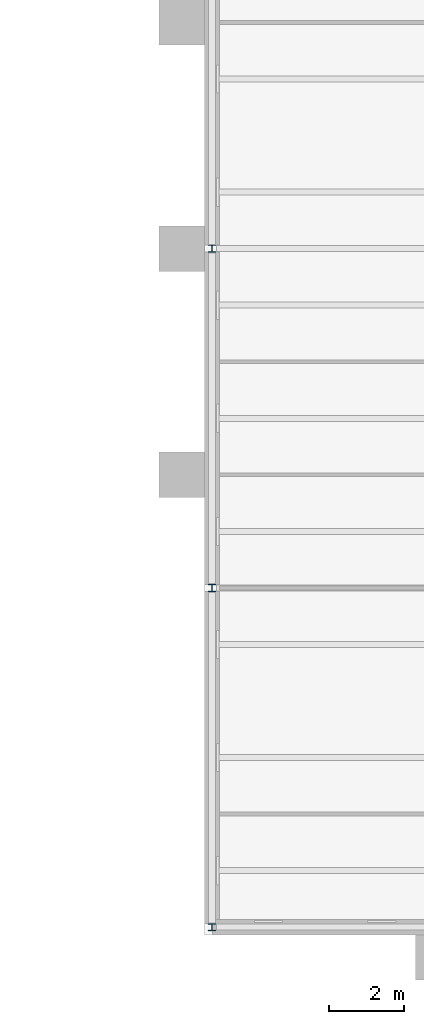
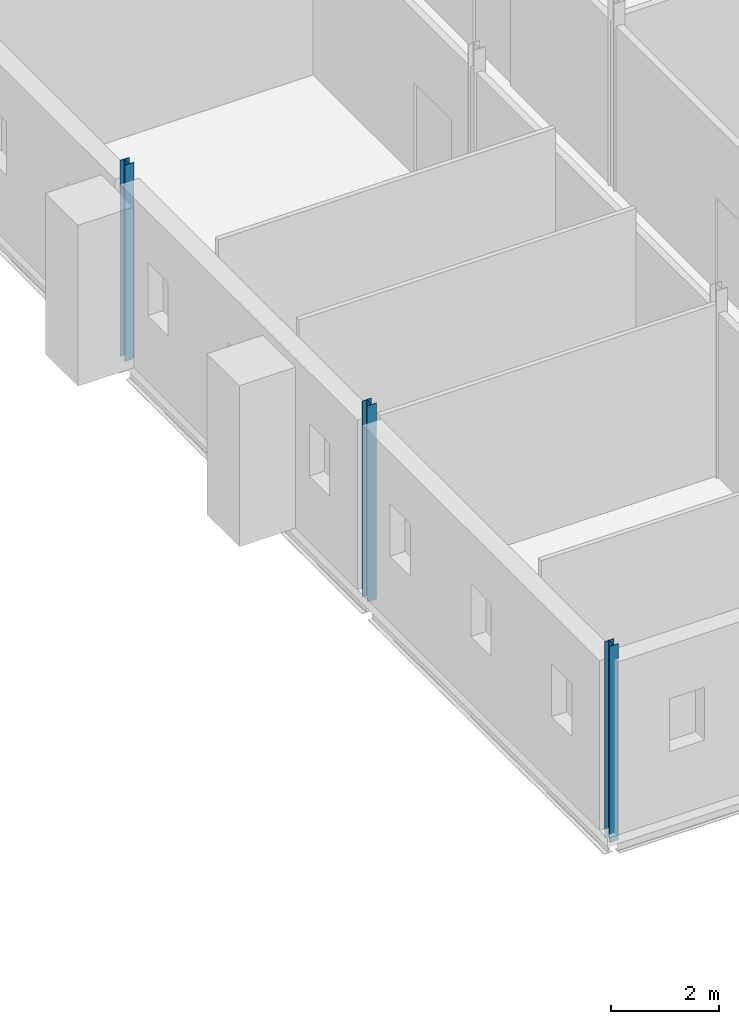
# One storey, part 15 of 131: 3 columns.
"""IFC4 building model written with IfcOpenShell, lengths in metres."""

from ifc_helpers import new_model, si_unit, direction, frame, origin, origin_2d, place, context, subcontext, project, spatial, i_section, extrude, material, material_profile, profile_set, type_object, element, save


model = new_model("IFC4")

# Units and contexts
model_context = context("Model", 3, precision=1e-05, world=origin(), true_north=direction((0.0, 1.0)))
body_context = subcontext(model_context, "Body", "Model", "MODEL_VIEW")
ifc_project = project(units=[si_unit("LENGTHUNIT", "METRE"), si_unit("AREAUNIT", "SQUARE_METRE"), si_unit("VOLUMEUNIT", "CUBIC_METRE"), si_unit("PLANEANGLEUNIT", "RADIAN"), si_unit("MASSUNIT", "GRAM", prefix="KILO")], contexts=[model_context])

# Site, building, storey
site_placement = place(None, origin())
site = spatial("IfcSite", under=ifc_project, at=site_placement, CompositionType="ELEMENT")
building_placement = place(site_placement, origin())
building = spatial("IfcBuilding", under=site, at=building_placement, Name="Golden Quay Civic Hall", CompositionType="ELEMENT")
storey_placement = place(building_placement, frame((0.0, 0.0, 9.89990234375)))
storey = spatial("IfcBuildingStorey", under=building, at=storey_placement, Name="L02", CompositionType="ELEMENT", Elevation=9.89990234375)

# Columns
ifc_material = material(Name="Steel S355", Category="steel")
ifc_material_profile = material_profile(ifc_material, i_section(OverallWidth=0.199951171875, OverallDepth=0.18994140625, WebThickness=0.006591796875, FlangeThickness=0.010009765625, FilletRadius=0.01806640625, at=origin_2d()), Name="HEA 200")
ifc_profile_set = profile_set([ifc_material_profile], Name="Steel S355")
column_type = type_object("IfcColumnType", Name="Steel column HEA 200", PredefinedType="COLUMN", material=ifc_profile_set)
for number, where, z_axis, x_axis, name in (
    (1, (153.0, -9.0, -0.199951171875), (0.0, 0.0, 1.0), (1.0, 0.0, 0.0), "Column 153/-9 L02"),
    (2, (153.0, 0.0, -0.199951171875), (0.0, 0.0, 1.0), (1.0, 0.0, 0.0), "Column 153/0 L02"),
    (3, (153.0, 9.0, -0.199951171875), (0.0, 0.0, 1.0), (1.0, 0.0, 0.0), "Column 153/9 L02"),
):
    element("IfcColumn", number, at=place(storey_placement, frame(where, z_axis=z_axis, x_axis=x_axis)), inside=storey, type_object=column_type, Name=name, PredefinedType="COLUMN", context=body_context, shape_type="SweptSolid", body=[
        extrude(i_section(OverallWidth=0.199951171875, OverallDepth=0.18994140625, WebThickness=0.006591796875, FlangeThickness=0.010009765625, FilletRadius=0.01806640625, at=origin_2d()), origin(), (0.0, 0.0, 1.0), 4.449951171875),
    ])

save(model, "model.ifc")
